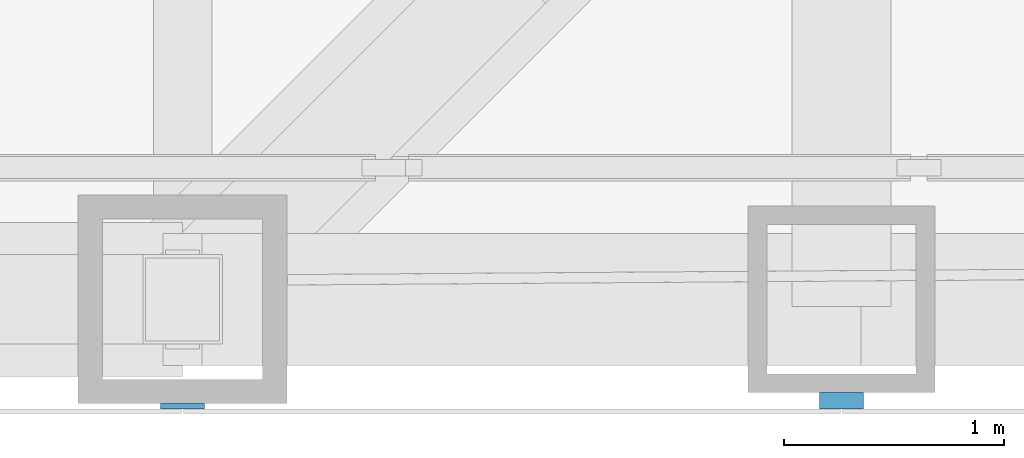
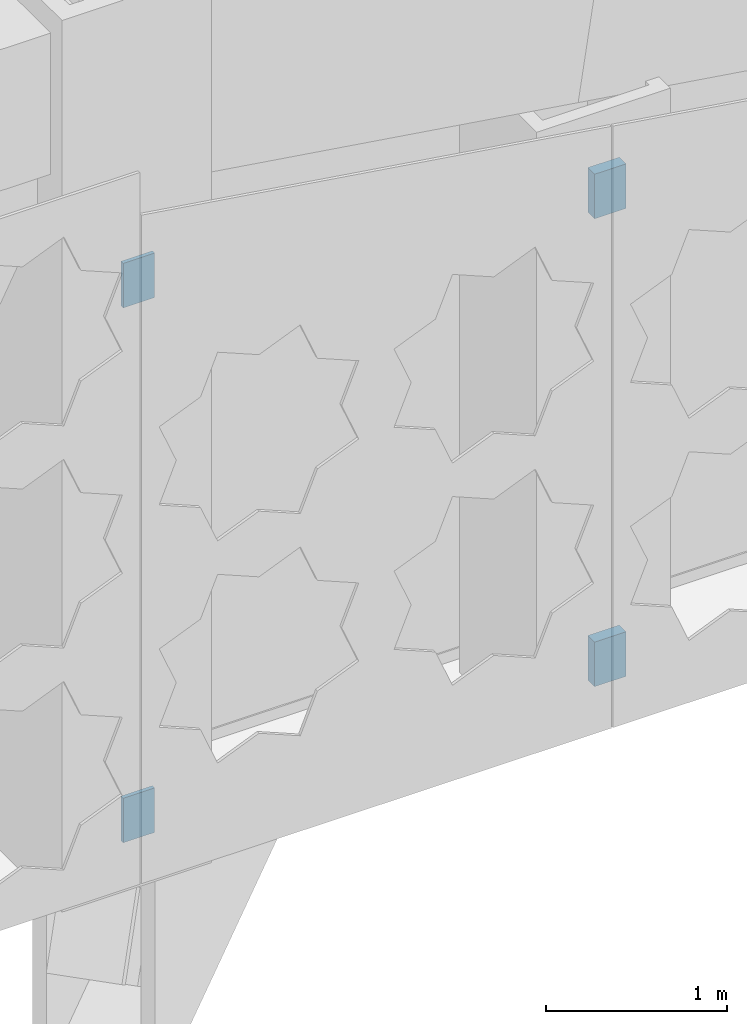
# One storey, part 14 of 29: 4 discrete accessories.
"""IFC4 building model written with IfcOpenShell, lengths in metres."""

from ifc_helpers import new_model, si_unit, direction, frame, origin, origin_2d, place, context, subcontext, project, spatial, rectangle, extrude, material, type_object, element, save


model = new_model("IFC4")

# Units and contexts
model_context = context("Model", 3, precision=1e-05, world=origin(), true_north=direction((0.0, 1.0)))
body_context = subcontext(model_context, "Body", "Model", "MODEL_VIEW")
ifc_project = project(units=[si_unit("LENGTHUNIT", "METRE"), si_unit("AREAUNIT", "SQUARE_METRE"), si_unit("VOLUMEUNIT", "CUBIC_METRE"), si_unit("PLANEANGLEUNIT", "RADIAN"), si_unit("MASSUNIT", "GRAM", prefix="KILO")], contexts=[model_context])

# Site, building, storey
site_placement = place(None, origin())
site = spatial("IfcSite", under=ifc_project, at=site_placement, CompositionType="ELEMENT")
building_placement = place(site_placement, origin())
building = spatial("IfcBuilding", under=site, at=building_placement, Name="Chuquiago Exchange Tower", CompositionType="ELEMENT")
storey_placement = place(building_placement, frame((0.0, 0.0, 251.699951171875)))
storey = spatial("IfcBuildingStorey", under=building, at=storey_placement, Name="L56", CompositionType="ELEMENT", Elevation=251.699951171875)

# Discrete accessories
ifc_material_1 = material(Name="Stainless steel plate bracket", Category="steel")
discrete_accessory_type_1 = type_object("IfcDiscreteAccessoryType", Name="GB4 cladding bracket 75", PredefinedType="BRACKET", material=ifc_material_1)
for number, where, z_axis, x_axis, name in (
    (1, (30.0, -0.46240234375, 0.35009765625), (0.0, 0.0, 1.0), (1.0, 0.0, 0.0), "Cladding bracket L56 S"),
    (2, (30.0, -0.46240234375, 3.49853515625), (0.0, 0.0, 1.0), (1.0, 0.0, 0.0), "Cladding bracket L56 S"),
):
    element("IfcDiscreteAccessory", number, at=place(storey_placement, frame(where, z_axis=z_axis, x_axis=x_axis)), inside=storey, type_object=discrete_accessory_type_1, Name=name, PredefinedType="BRACKET", context=body_context, shape_type="SweptSolid", body=[
        extrude(rectangle(XDim=0.199951171875, YDim=0.074951171875, at=origin_2d()), origin(), (0.0, 0.0, 1.0), 0.300048828125),
    ])
ifc_material_2 = material(Name="Stainless steel plate bracket", Category="steel")
discrete_accessory_type_2 = type_object("IfcDiscreteAccessoryType", Name="GB7 cladding bracket 25", PredefinedType="BRACKET", material=ifc_material_2)
for number, where, z_axis, x_axis, name in (
    (3, (27.0, -0.487548828125, 0.35009765625), (0.0, 0.0, 1.0), (1.0, 0.0, 0.0), "Cladding bracket L56 S"),
    (4, (27.0, -0.487548828125, 3.94921875), (0.0, 0.0, 1.0), (1.0, 0.0, 0.0), "Cladding bracket L56 S"),
):
    element("IfcDiscreteAccessory", number, at=place(storey_placement, frame(where, z_axis=z_axis, x_axis=x_axis)), inside=storey, type_object=discrete_accessory_type_2, Name=name, PredefinedType="BRACKET", context=body_context, shape_type="SweptSolid", body=[
        extrude(rectangle(XDim=0.199951171875, YDim=0.02490234375, at=origin_2d()), origin(), (0.0, 0.0, 1.0), 0.300048828125),
    ])

save(model, "model.ifc")
